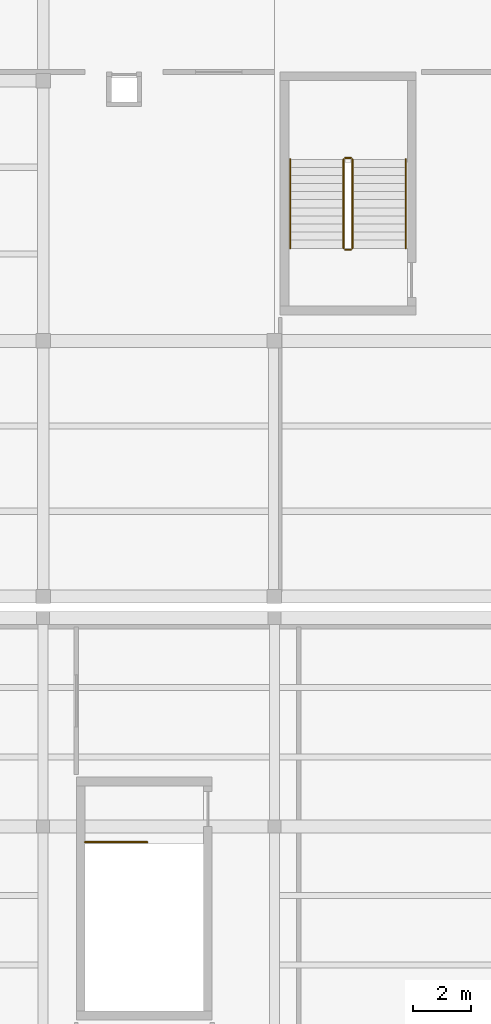
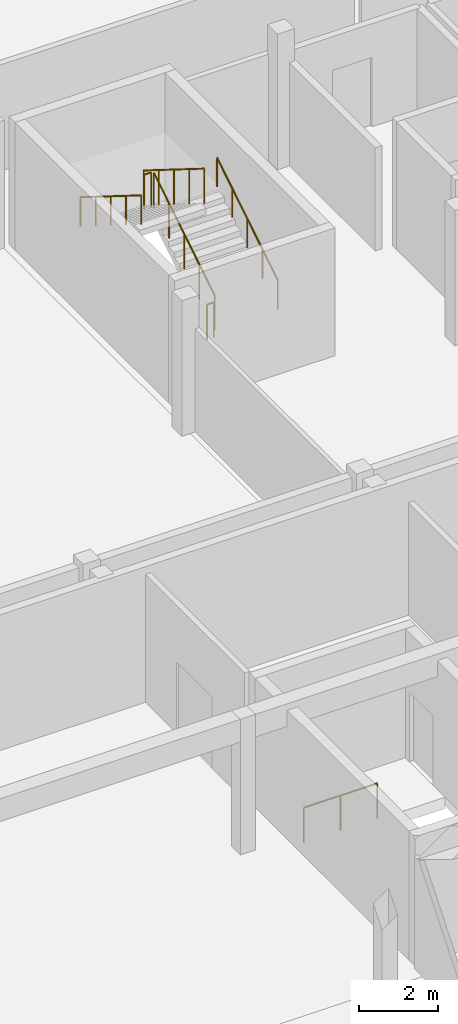
# One storey, part 104 of 107: 7 railings.
"""IFC4 building model written with IfcOpenShell, lengths in metres."""

from ifc_helpers import new_model, si_unit, direction, frame, origin, origin_2d, place, context, subcontext, project, spatial, circle, extrude, material, layer, layer_set, type_object, element, save


model = new_model("IFC4")

# Units and contexts
model_context = context("Model", 3, precision=1e-05, world=origin(), true_north=direction((0.0, 1.0)))
body_context = subcontext(model_context, "Body", "Model", "MODEL_VIEW")
ifc_project = project(units=[si_unit("LENGTHUNIT", "METRE"), si_unit("AREAUNIT", "SQUARE_METRE"), si_unit("VOLUMEUNIT", "CUBIC_METRE"), si_unit("PLANEANGLEUNIT", "RADIAN"), si_unit("MASSUNIT", "GRAM", prefix="KILO")], contexts=[model_context])

# Site, building, storey
site_placement = place(None, origin())
site = spatial("IfcSite", under=ifc_project, at=site_placement, CompositionType="ELEMENT")
building_placement = place(site_placement, origin())
building = spatial("IfcBuilding", under=site, at=building_placement, Name="Chiffa Square Polytechnic", CompositionType="ELEMENT")
storey_placement = place(building_placement, frame((0.0, 0.0, 13.800048828125)))
storey = spatial("IfcBuildingStorey", under=building, at=storey_placement, Name="L03", CompositionType="ELEMENT", Elevation=13.800048828125)

# Railings
ifc_material = material(Name="Steel S355", Category="steel")
ifc_layer_1 = layer(ifc_material, 0.050048828125, Name="Steel S355")
ifc_layer_set_1 = layer_set([ifc_layer_1], Name="Steel S355")
railing_type_1 = type_object("IfcRailingType", Name="RL-STAIR-GUARD", PredefinedType="GUARDRAIL", material=ifc_layer_set_1)
railing_1_placement = place(storey_placement, frame((26.699951171875, 107.0, 0.175048828125)))
element("IfcRailing", 1, at=railing_1_placement, inside=storey, type_object=railing_type_1, Name="L03 ST-V5A stair guard 1", PredefinedType="GUARDRAIL", context=body_context, shape_type="SweptSolid", body=[
    extrude(circle(Radius=0.02392578125, at=origin_2d()), frame((0.0, 0.0, 1.076171875), z_axis=(0.0, 0.848028513186, 0.529950602248), x_axis=(-1.0, 0.0, 0.0)), (0.0, 0.0, 1.0), 3.632080078125),
    extrude(circle(Radius=0.02099609375, at=origin_2d()), origin(), (0.0, 0.0, 1.0), 1.052001953125),
    extrude(circle(Radius=0.02099609375, at=origin_2d()), frame((0.0, 0.77001953125, 0.481201171875)), (0.0, 0.0, 1.0), 1.052001953125),
    extrude(circle(Radius=0.02099609375, at=origin_2d()), frame((0.0, 1.5400390625, 0.96240234375)), (0.0, 0.0, 1.0), 1.052001953125),
    extrude(circle(Radius=0.02099609375, at=origin_2d()), frame((0.0, 2.31005859375, 1.443603515625)), (0.0, 0.0, 1.0), 1.052001953125),
    extrude(circle(Radius=0.02099609375, at=origin_2d()), frame((0.0, 3.080078125, 1.9248046875)), (0.0, 0.0, 1.0), 1.052001953125),
])
railing_2_placement = place(storey_placement, frame((26.64990234375, 110.1298828125, 2.099853515625)))
element("IfcRailing", 2, at=railing_2_placement, inside=storey, type_object=railing_type_1, Name="L03 ST-V5A stair guard 2", PredefinedType="GUARDRAIL", context=body_context, shape_type="SweptSolid", body=[
    extrude(circle(Radius=0.02392578125, at=origin_2d()), frame((0.0, 0.0, 1.076171875), z_axis=(-1.0, 0.0, 0.0), x_axis=(0.0, -1.0, 0.0)), (0.0, 0.0, 1.0), 0.199951171875),
    extrude(circle(Radius=0.02099609375, at=origin_2d()), origin(), (0.0, 0.0, 1.0), 1.052001953125),
    extrude(circle(Radius=0.02099609375, at=origin_2d()), frame((-0.199951171875, 0.0, 0.0)), (0.0, 0.0, 1.0), 1.052001953125),
])
railing_3_placement = place(storey_placement, frame((26.39990234375, 110.080078125, 2.27490234375)))
element("IfcRailing", 3, at=railing_3_placement, inside=storey, type_object=railing_type_1, Name="L03 ST-V5A stair guard 3", PredefinedType="GUARDRAIL", context=body_context, shape_type="SweptSolid", body=[
    extrude(circle(Radius=0.02392578125, at=origin_2d()), frame((0.0, 0.0, 1.076171875), z_axis=(0.0, -0.847998304005, 0.529998940003), x_axis=(1.0, 0.0, 0.0)), (0.0, 0.0, 1.0), 3.632080078125),
    extrude(circle(Radius=0.02099609375, at=origin_2d()), origin(), (0.0, 0.0, 1.0), 1.052001953125),
    extrude(circle(Radius=0.02099609375, at=origin_2d()), frame((0.0, -0.77001953125, 0.481201171875)), (0.0, 0.0, 1.0), 1.052001953125),
    extrude(circle(Radius=0.02099609375, at=origin_2d()), frame((0.0, -1.5400390625, 0.96240234375)), (0.0, 0.0, 1.0), 1.052001953125),
    extrude(circle(Radius=0.02099609375, at=origin_2d()), frame((0.0, -2.31005859375, 1.44384765625)), (0.0, 0.0, 1.0), 1.052001953125),
    extrude(circle(Radius=0.02099609375, at=origin_2d()), frame((0.0, -3.080078125, 1.925048828125)), (0.0, 0.0, 1.0), 1.052001953125),
])
railing_4_placement = place(storey_placement, frame((26.64990234375, 106.949951171875, 0.0)))
element("IfcRailing", 4, at=railing_4_placement, inside=storey, type_object=railing_type_1, Name="L03 ST-V5A stair guard 4", PredefinedType="GUARDRAIL", context=body_context, shape_type="SweptSolid", body=[
    extrude(circle(Radius=0.02392578125, at=origin_2d()), frame((0.0, 0.0, 1.076171875), z_axis=(-1.0, 0.0, 0.0), x_axis=(0.0, -1.0, 0.0)), (0.0, 0.0, 1.0), 0.199951171875),
    extrude(circle(Radius=0.02099609375, at=origin_2d()), origin(), (0.0, 0.0, 1.0), 1.052001953125),
    extrude(circle(Radius=0.02099609375, at=origin_2d()), frame((-0.199951171875, 0.0, 0.0)), (0.0, 0.0, 1.0), 1.052001953125),
])
railing_5_placement = place(storey_placement, frame((17.449951171875, 86.449951171875, 0.0)))
element("IfcRailing", 5, at=railing_5_placement, inside=storey, type_object=railing_type_1, Name="L03 ST-V6B top well guard 1", PredefinedType="GUARDRAIL", context=body_context, shape_type="SweptSolid", body=[
    extrude(circle(Radius=0.02392578125, at=origin_2d()), frame((0.0, 0.0, 1.076171875), z_axis=(1.0, 0.0, 0.0), x_axis=(0.0, 1.0, 0.0)), (0.0, 0.0, 1.0), 2.150146484375),
    extrude(circle(Radius=0.02099609375, at=origin_2d()), origin(), (0.0, 0.0, 1.0), 1.052001953125),
    extrude(circle(Radius=0.02099609375, at=origin_2d()), frame((1.0751953125, 0.0, 0.0)), (0.0, 0.0, 1.0), 1.052001953125),
    extrude(circle(Radius=0.02099609375, at=origin_2d()), frame((2.150146484375, 0.0, 0.0)), (0.0, 0.0, 1.0), 1.052001953125),
])
ifc_layer_2 = layer(ifc_material, 0.044921875, Name="Steel S355")
ifc_layer_set_2 = layer_set([ifc_layer_2], Name="Steel S355")
railing_type_2 = type_object("IfcRailingType", Name="RL-STAIR-HAND", PredefinedType="HANDRAIL", material=ifc_layer_set_2)
railing_6_placement = place(storey_placement, frame((28.550048828125, 107.0, 0.175048828125)))
element("IfcRailing", 6, at=railing_6_placement, inside=storey, type_object=railing_type_2, Name="L03 ST-V5A stair handrail 1", PredefinedType="HANDRAIL", context=body_context, shape_type="SweptSolid", body=[
    extrude(circle(Radius=0.02392578125, at=origin_2d()), frame((0.0, 0.0, 0.89599609375), z_axis=(0.0, 0.848028513186, 0.529950602248), x_axis=(-1.0, 0.0, 0.0)), (0.0, 0.0, 1.0), 3.632080078125),
    extrude(circle(Radius=0.02099609375, at=origin_2d()), origin(), (0.0, 0.0, 1.0), 0.871826171875),
    extrude(circle(Radius=0.02099609375, at=origin_2d()), frame((0.0, 0.77001953125, 0.481201171875)), (0.0, 0.0, 1.0), 0.871826171875),
    extrude(circle(Radius=0.02099609375, at=origin_2d()), frame((0.0, 1.5400390625, 0.96240234375)), (0.0, 0.0, 1.0), 0.871826171875),
    extrude(circle(Radius=0.02099609375, at=origin_2d()), frame((0.0, 2.31005859375, 1.443603515625)), (0.0, 0.0, 1.0), 0.871826171875),
    extrude(circle(Radius=0.02099609375, at=origin_2d()), frame((0.0, 3.080078125, 1.9248046875)), (0.0, 0.0, 1.0), 0.871826171875),
])
railing_7_placement = place(storey_placement, frame((24.550048828125, 110.080078125, 2.27490234375)))
element("IfcRailing", 7, at=railing_7_placement, inside=storey, type_object=railing_type_2, Name="L03 ST-V5A stair handrail 2", PredefinedType="HANDRAIL", context=body_context, shape_type="SweptSolid", body=[
    extrude(circle(Radius=0.02392578125, at=origin_2d()), frame((0.0, 0.0, 0.89599609375), z_axis=(0.0, -0.847998304005, 0.529998940003), x_axis=(1.0, 0.0, 0.0)), (0.0, 0.0, 1.0), 3.632080078125),
    extrude(circle(Radius=0.02099609375, at=origin_2d()), origin(), (0.0, 0.0, 1.0), 0.871826171875),
    extrude(circle(Radius=0.02099609375, at=origin_2d()), frame((0.0, -0.77001953125, 0.481201171875)), (0.0, 0.0, 1.0), 0.871826171875),
    extrude(circle(Radius=0.02099609375, at=origin_2d()), frame((0.0, -1.5400390625, 0.96240234375)), (0.0, 0.0, 1.0), 0.871826171875),
    extrude(circle(Radius=0.02099609375, at=origin_2d()), frame((0.0, -2.31005859375, 1.44384765625)), (0.0, 0.0, 1.0), 0.871826171875),
    extrude(circle(Radius=0.02099609375, at=origin_2d()), frame((0.0, -3.080078125, 1.925048828125)), (0.0, 0.0, 1.0), 0.871826171875),
])

save(model, "model.ifc")
